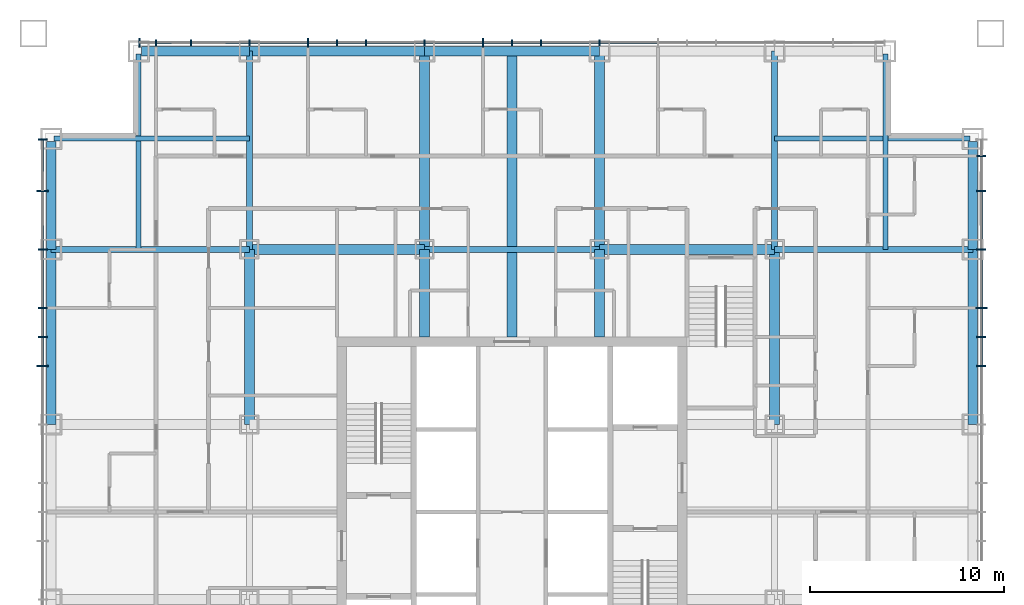
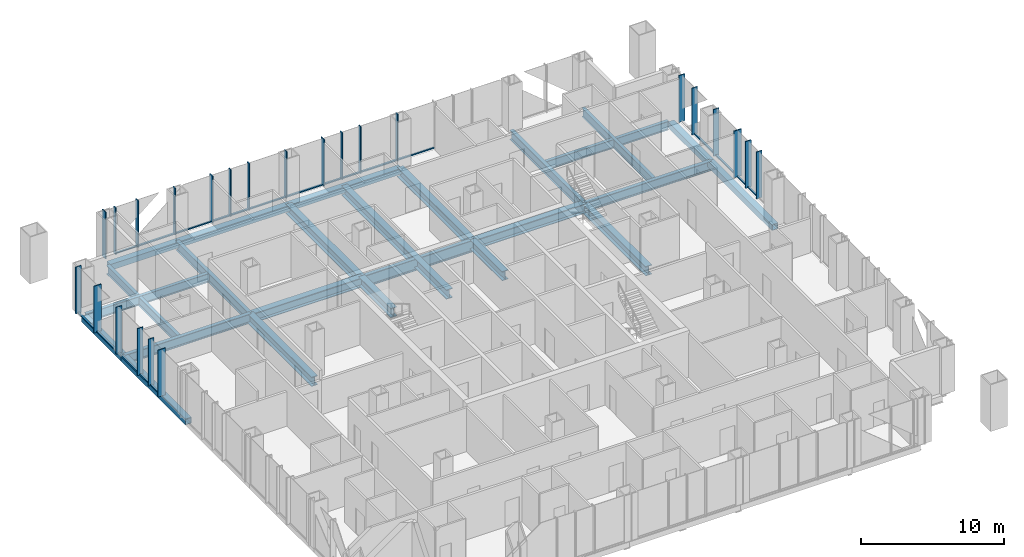
# One storey, part 5 of 13: 44 members, 25 beams, 3 elements without a shape of their own.
"""IFC4 building model written with IfcOpenShell, lengths in metres."""

import ifcopenshell
import ifcopenshell.guid

model = None  # the IFC model being written
_history = None  # IfcOwnerHistory: only IFC2X3 demands one
_inside = {}  # id of a spatial element -> (the spatial element, [elements in it])
_under = {}  # id of a project, library or spatial element -> (it, [spatial elements below it])
_declared = {}  # id of a project -> (the project, [libraries it declares])
_typed = {}  # id of a type object -> (the type object, [elements of that type])
_made_of = {}  # id of a material, layer set ... -> (it, [elements and type objects made of it])


def new_model(schema):
    """Start an empty IFC model of exactly this schema.

    Asked for "IFC4X3", IfcOpenShell would pick the latest addendum, in which some entities
    have other attributes; the version numbers below select the first issue.
    IFC2X3 requires an IfcOwnerHistory on every rooted entity: one is made here for all.
    """
    global model, _history
    if schema == "IFC4X3":
        model = ifcopenshell.file(schema_version=(4, 3, 0, 0))
    else:
        model = ifcopenshell.file(schema=schema)
    _inside.clear()
    _under.clear()
    _declared.clear()
    _typed.clear()
    _made_of.clear()
    _history = None
    if model.schema == "IFC2X3":
        org = make("IfcOrganization", Name="unknown")
        user = make(
            "IfcPersonAndOrganization",
            ThePerson=make("IfcPerson", FamilyName="unknown"),
            TheOrganization=org,
        )
        app = make(
            "IfcApplication",
            ApplicationDeveloper=org,
            Version="unknown",
            ApplicationFullName="unknown",
            ApplicationIdentifier="unknown",
        )
        _history = make(
            "IfcOwnerHistory",
            OwningUser=user,
            OwningApplication=app,
            ChangeAction="ADDED",
            CreationDate=0,
        )
    return model


def make(cls, **values):
    """One entity of the class cls with the attributes given. An attribute that is None is left unset."""
    return model.create_entity(
        cls, **{name: value for name, value in values.items() if value is not None}
    )


def rooted(cls, **values):
    """An entity with a GlobalId (a new one), such as an element, a storey or a relation."""
    return make(cls, GlobalId=ifcopenshell.guid.new(), OwnerHistory=_history, **values)


def si_unit(unit_type, name, prefix=None):
    """IfcSIUnit, for example si_unit("LENGTHUNIT", "METRE", prefix="MILLI")."""
    return make("IfcSIUnit", UnitType=unit_type, Prefix=prefix, Name=name)


def assignment(units):
    """IfcUnitAssignment: the units of a project."""
    return None if units is None else make("IfcUnitAssignment", Units=units)


def point(xyz):
    """IfcCartesianPoint."""
    return None if xyz is None else make("IfcCartesianPoint", Coordinates=xyz)


def direction(xyz):
    """IfcDirection."""
    return None if xyz is None else make("IfcDirection", DirectionRatios=xyz)


def frame(location, z_axis=None, x_axis=None):
    """IfcAxis2Placement3D, a coordinate frame: its origin and axes. An axis left out is left unset."""
    return make(
        "IfcAxis2Placement3D",
        Location=point(location),
        Axis=direction(z_axis),
        RefDirection=direction(x_axis),
    )


def frame_2d(location, x_axis=None):
    """IfcAxis2Placement2D, a coordinate frame in the plane: its origin and x axis."""
    return make(
        "IfcAxis2Placement2D", Location=point(location), RefDirection=direction(x_axis)
    )


def origin():
    """The frame at (0, 0, 0) with its axes left unset."""
    return frame((0.0, 0.0, 0.0))


def origin_2d():
    """The frame at (0, 0) in the plane with its x axis left unset."""
    return frame_2d((0.0, 0.0))


def place(relative_to, where):
    """IfcLocalPlacement: puts the frame where relative to a parent placement (None: the world)."""
    return make(
        "IfcLocalPlacement", PlacementRelTo=relative_to, RelativePlacement=where
    )


def context(
    kind, dimensions, precision=None, world=None, true_north=None, identifier=None
):
    """IfcGeometricRepresentationContext, for example the 3D "Model" context."""
    return make(
        "IfcGeometricRepresentationContext",
        ContextIdentifier=identifier,
        ContextType=kind,
        CoordinateSpaceDimension=dimensions,
        Precision=precision,
        WorldCoordinateSystem=world,
        TrueNorth=true_north,
    )


def subcontext(parent, identifier, kind, view, scale=None):
    """IfcGeometricRepresentationSubContext, for example "Body" below "Model"."""
    return make(
        "IfcGeometricRepresentationSubContext",
        ContextIdentifier=identifier,
        ContextType=kind,
        ParentContext=parent,
        TargetScale=scale,
        TargetView=view,
    )


def project(units=None, contexts=None):
    """IfcProject with its units and contexts."""
    return rooted(
        "IfcProject",
        Name="project",
        RepresentationContexts=contexts,
        UnitsInContext=assignment(units),
    )


def spatial(cls, under=None, at=None, **own):
    """A site, building, storey or space (cls), placed at a placement, below another one or the project."""
    s = rooted(cls, ObjectPlacement=at, **own)
    if under is not None:
        _under.setdefault(under.id(), (under, []))[1].append(s)
    return s


def profile(cls, at=None, kind="AREA", **sizes):
    """A parametric profile (cls). Its sizes go by their IFC names, for example OverallWidth=200.0."""
    return make(cls, ProfileType=kind, Position=at, **sizes)


def rectangle(**sizes):
    """IfcRectangleProfileDef."""
    return profile("IfcRectangleProfileDef", **sizes)


def hollow_rectangle(**sizes):
    """IfcRectangleHollowProfileDef."""
    return profile("IfcRectangleHollowProfileDef", **sizes)


def i_section(**sizes):
    """IfcIShapeProfileDef."""
    return profile("IfcIShapeProfileDef", **sizes)


def extrude(swept, where, along, depth):
    """IfcExtrudedAreaSolid: the profile swept, set in the frame where, extruded along a direction by depth."""
    return make(
        "IfcExtrudedAreaSolid",
        SweptArea=swept,
        Position=where,
        ExtrudedDirection=direction(along),
        Depth=depth,
    )


def shape(context_of_items, identifier, shape_type, items):
    """IfcShapeRepresentation: the items that make up one representation, for example the "Body"."""
    return make(
        "IfcShapeRepresentation",
        ContextOfItems=context_of_items,
        RepresentationIdentifier=identifier,
        RepresentationType=shape_type,
        Items=items,
    )


def material(Name=None, Category=None):
    """IfcMaterial."""
    return make("IfcMaterial", Name=Name, Category=Category)


def layer(
    of_material, thickness, ventilated=None, Name=None, Category=None, Priority=None
):
    """IfcMaterialLayer: one layer of a wall or slab, of a material (None: an air gap)."""
    return make(
        "IfcMaterialLayer",
        Material=of_material,
        LayerThickness=thickness,
        IsVentilated=ventilated,
        Name=Name,
        Category=Category,
        Priority=Priority,
    )


def layer_set(layers, Name=None):
    """IfcMaterialLayerSet."""
    return make("IfcMaterialLayerSet", MaterialLayers=layers, LayerSetName=Name)


def material_profile(
    of_material, cross_section, Name=None, Category=None, Priority=None
):
    """IfcMaterialProfile: a cross section and its material."""
    return make(
        "IfcMaterialProfile",
        Name=Name,
        Material=of_material,
        Profile=cross_section,
        Priority=Priority,
        Category=Category,
    )


def profile_set(profiles, Name=None, composite=None):
    """IfcMaterialProfileSet."""
    return make(
        "IfcMaterialProfileSet",
        Name=Name,
        MaterialProfiles=profiles,
        CompositeProfile=composite,
    )


def made_of(thing, what):
    """Note that an element or type object is made of a material, layer set ...; save() writes the relation."""
    if what is not None:
        _made_of.setdefault(what.id(), (what, []))[1].append(thing)
    return thing


def type_object(cls, material=None, **own):
    """A type object (cls), such as IfcWallType, which elements share."""
    return made_of(rooted(cls, **own), material)


def element(
    cls,
    number,
    at=None,
    inside=None,
    cuts=None,
    type_object=None,
    material=None,
    context=None,
    identifier="Body",
    shape_type=None,
    held_by="IfcProductDefinitionShape",
    body=None,
    shapes=None,
    **own,
):
    """One element of the class cls, such as IfcWall. Its Tag is "e" and its number.

    at: its placement. inside: the storey or other place that contains it. cuts: it is an
    opening in that element (IfcRelVoidsElement). A single representation is given by context,
    identifier, shape_type and body (its items); several are given by shapes. held_by: the class
    of the entity that holds the representations. save() writes the other relations.
    """
    e = rooted(cls, Tag="e%d" % number, ObjectPlacement=at, **own)
    if body is not None:
        shapes = [shape(context, identifier, shape_type, body)]
    if shapes is not None:
        e.Representation = make(held_by, Representations=shapes)
    if inside is not None:
        _inside.setdefault(inside.id(), (inside, []))[1].append(e)
    if cuts is not None:
        rooted(
            "IfcRelVoidsElement", RelatingBuildingElement=cuts, RelatedOpeningElement=e
        )
    if type_object is not None:
        _typed.setdefault(type_object.id(), (type_object, []))[1].append(e)
    return made_of(e, material)


def aggregate(whole, parts):
    """IfcRelAggregates: a whole, such as a stair, and the parts it consists of."""
    return rooted("IfcRelAggregates", RelatingObject=whole, RelatedObjects=parts)


def save(model, path):
    """Write the relations noted so far, then the file.

    IfcRelAggregates (storeys below a building ...), IfcRelContainedInSpatialStructure (elements
    in a storey), IfcRelDefinesByType, IfcRelAssociatesMaterial and IfcRelDeclares: one each for
    every whole, place, type object, material and project.
    """
    for whole, parts in _under.values():
        aggregate(whole, parts)
    for where, things in _inside.values():
        rooted(
            "IfcRelContainedInSpatialStructure",
            RelatedElements=things,
            RelatingStructure=where,
        )
    for kind, things in _typed.values():
        rooted("IfcRelDefinesByType", RelatedObjects=things, RelatingType=kind)
    for what, things in _made_of.values():
        rooted("IfcRelAssociatesMaterial", RelatedObjects=things, RelatingMaterial=what)
    for by, libraries in _declared.values():
        rooted("IfcRelDeclares", RelatingContext=by, RelatedDefinitions=libraries)
    model.write(path)


model = new_model("IFC4")

# Units and contexts
model_context = context("Model", 3, precision=1e-05, world=origin(), true_north=direction((0.0, 1.0)))
body_context = subcontext(model_context, "Body", "Model", "MODEL_VIEW")
ifc_project = project(units=[si_unit("LENGTHUNIT", "METRE"), si_unit("AREAUNIT", "SQUARE_METRE"), si_unit("VOLUMEUNIT", "CUBIC_METRE"), si_unit("PLANEANGLEUNIT", "RADIAN"), si_unit("MASSUNIT", "GRAM", prefix="KILO")], contexts=[model_context])

# Site, building, storey
site_placement = place(None, origin())
site = spatial("IfcSite", under=ifc_project, at=site_placement, CompositionType="ELEMENT")
building_placement = place(site_placement, origin())
building = spatial("IfcBuilding", under=site, at=building_placement, Name="Malebo Sky Hospital", CompositionType="ELEMENT")
storey_placement = place(building_placement, frame((0.0, 0.0, 104.0)))
storey = spatial("IfcBuildingStorey", under=building, at=storey_placement, Name="L24", CompositionType="ELEMENT", Elevation=104.0)

# Curtain wall, members
ifc_material_1 = material(Name="Anodised aluminium, natural silver", Category="aluminium")
ifc_layer_1 = layer(ifc_material_1, 0.25)
ifc_layer_set_1 = layer_set([ifc_layer_1], Name="WARD CURTAIN WALL NORTH AND SOUTH")
curtain_wall_type_1 = type_object("IfcCurtainWallType", Name="WARD CURTAIN WALL NORTH AND SOUTH", PredefinedType="NOTDEFINED", material=ifc_layer_set_1)
curtain_wall_1_placement = place(storey_placement, origin())
curtain_wall_1 = element("IfcCurtainWall", 1, at=curtain_wall_1_placement, inside=storey, type_object=curtain_wall_type_1, Name="NS curtain wall N", PredefinedType="NOTDEFINED")
ifc_material_profile_1 = material_profile(ifc_material_1, rectangle(XDim=0.14990234375, YDim=0.10009765625, at=origin_2d()), Name="ALUMINIUM TRANSOM 150x100")
ifc_profile_set_1 = profile_set([ifc_material_profile_1], Name="Anodised aluminium, natural silver")
member_type_1 = type_object("IfcMemberType", Name="ALUMINIUM TRANSOM 150x100", PredefinedType="USERDEFINED", material=ifc_profile_set_1)
member_1_placement = place(storey_placement, frame((41.737548828125, 86.135009765625, 0.050048828125), z_axis=(1.0, 0.0, 0.0), x_axis=(0.0, 1.0, 0.0)))
member_1 = element("IfcMember", 2, at=member_1_placement, type_object=member_type_1, Name="Transom 2", ObjectType="TRANSOM", PredefinedType="USERDEFINED", context=body_context, shape_type="SweptSolid", body=[
    extrude(rectangle(XDim=0.14990234375, YDim=0.10009765625, at=origin_2d()), origin(), (0.0, 0.0, 1.0), 1.724853515625),
])
member_2_placement = place(storey_placement, frame((43.53759765625, 86.135009765625, 0.050048828125), z_axis=(1.0, 0.0, 0.0), x_axis=(0.0, 1.0, 0.0)))
member_2 = element("IfcMember", 3, at=member_2_placement, type_object=member_type_1, Name="Transom 3", ObjectType="TRANSOM", PredefinedType="USERDEFINED", context=body_context, shape_type="SweptSolid", body=[
    extrude(rectangle(XDim=0.14990234375, YDim=0.10009765625, at=origin_2d()), origin(), (0.0, 0.0, 1.0), 2.9248046875),
])
member_3_placement = place(storey_placement, frame((46.53759765625, 86.135009765625, 0.050048828125), z_axis=(1.0, 0.0, 0.0), x_axis=(0.0, 1.0, 0.0)))
member_3 = element("IfcMember", 4, at=member_3_placement, type_object=member_type_1, Name="Transom 4", ObjectType="TRANSOM", PredefinedType="USERDEFINED", context=body_context, shape_type="SweptSolid", body=[
    extrude(rectangle(XDim=0.14990234375, YDim=0.10009765625, at=origin_2d()), origin(), (0.0, 0.0, 1.0), 2.9248046875),
])
member_4_placement = place(storey_placement, frame((49.53759765625, 86.135009765625, 0.050048828125), z_axis=(1.0, 0.0, 0.0), x_axis=(0.0, 1.0, 0.0)))
member_4 = element("IfcMember", 5, at=member_4_placement, type_object=member_type_1, Name="Transom 5", ObjectType="TRANSOM", PredefinedType="USERDEFINED", context=body_context, shape_type="SweptSolid", body=[
    extrude(rectangle(XDim=0.14990234375, YDim=0.10009765625, at=origin_2d()), origin(), (0.0, 0.0, 1.0), 1.4248046875),
])
member_5_placement = place(storey_placement, frame((51.03759765625, 86.135009765625, 0.050048828125), z_axis=(1.0, 0.0, 0.0), x_axis=(0.0, 1.0, 0.0)))
member_5 = element("IfcMember", 6, at=member_5_placement, type_object=member_type_1, Name="Transom 6", ObjectType="TRANSOM", PredefinedType="USERDEFINED", context=body_context, shape_type="SweptSolid", body=[
    extrude(rectangle(XDim=0.14990234375, YDim=0.10009765625, at=origin_2d()), origin(), (0.0, 0.0, 1.0), 1.4248046875),
])
member_6_placement = place(storey_placement, frame((52.53759765625, 86.135009765625, 0.050048828125), z_axis=(1.0, 0.0, 0.0), x_axis=(0.0, 1.0, 0.0)))
member_6 = element("IfcMember", 7, at=member_6_placement, type_object=member_type_1, Name="Transom 7", ObjectType="TRANSOM", PredefinedType="USERDEFINED", context=body_context, shape_type="SweptSolid", body=[
    extrude(rectangle(XDim=0.14990234375, YDim=0.10009765625, at=origin_2d()), origin(), (0.0, 0.0, 1.0), 2.9248046875),
])
member_7_placement = place(storey_placement, frame((55.53759765625, 86.135009765625, 0.050048828125), z_axis=(1.0, 0.0, 0.0), x_axis=(0.0, 1.0, 0.0)))
member_7 = element("IfcMember", 8, at=member_7_placement, type_object=member_type_1, Name="Transom 8", ObjectType="TRANSOM", PredefinedType="USERDEFINED", context=body_context, shape_type="SweptSolid", body=[
    extrude(rectangle(XDim=0.14990234375, YDim=0.10009765625, at=origin_2d()), origin(), (0.0, 0.0, 1.0), 2.9248046875),
])
member_8_placement = place(storey_placement, frame((58.53759765625, 86.135009765625, 0.050048828125), z_axis=(1.0, 0.0, 0.0), x_axis=(0.0, 1.0, 0.0)))
member_8 = element("IfcMember", 9, at=member_8_placement, type_object=member_type_1, Name="Transom 9", ObjectType="TRANSOM", PredefinedType="USERDEFINED", context=body_context, shape_type="SweptSolid", body=[
    extrude(rectangle(XDim=0.14990234375, YDim=0.10009765625, at=origin_2d()), origin(), (0.0, 0.0, 1.0), 1.4248046875),
])
member_9_placement = place(storey_placement, frame((60.03759765625, 86.135009765625, 0.050048828125), z_axis=(1.0, 0.0, 0.0), x_axis=(0.0, 1.0, 0.0)))
member_9 = element("IfcMember", 10, at=member_9_placement, type_object=member_type_1, Name="Transom 10", ObjectType="TRANSOM", PredefinedType="USERDEFINED", context=body_context, shape_type="SweptSolid", body=[
    extrude(rectangle(XDim=0.14990234375, YDim=0.10009765625, at=origin_2d()), origin(), (0.0, 0.0, 1.0), 1.4248046875),
])
member_10_placement = place(storey_placement, frame((61.53759765625, 86.135009765625, 0.050048828125), z_axis=(1.0, 0.0, 0.0), x_axis=(0.0, 1.0, 0.0)))
member_10 = element("IfcMember", 11, at=member_10_placement, type_object=member_type_1, Name="Transom 11", ObjectType="TRANSOM", PredefinedType="USERDEFINED", context=body_context, shape_type="SweptSolid", body=[
    extrude(rectangle(XDim=0.14990234375, YDim=0.10009765625, at=origin_2d()), origin(), (0.0, 0.0, 1.0), 2.9248046875),
])
member_11_placement = place(storey_placement, frame((64.53759765625, 86.135009765625, 0.050048828125), z_axis=(1.0, 0.0, 0.0), x_axis=(0.0, 1.0, 0.0)))
member_11 = element("IfcMember", 12, at=member_11_placement, type_object=member_type_1, Name="Transom 12", ObjectType="TRANSOM", PredefinedType="USERDEFINED", context=body_context, shape_type="SweptSolid", body=[
    extrude(rectangle(XDim=0.14990234375, YDim=0.10009765625, at=origin_2d()), origin(), (0.0, 0.0, 1.0), 2.9248046875),
])

ifc_layer_2 = layer(ifc_material_1, 0.25)
ifc_layer_set_2 = layer_set([ifc_layer_2], Name="WARD CURTAIN WALL EAST AND WEST")
curtain_wall_type_2 = type_object("IfcCurtainWallType", Name="WARD CURTAIN WALL EAST AND WEST", PredefinedType="NOTDEFINED", material=ifc_layer_set_2)
curtain_wall_2_placement = place(storey_placement, origin())
curtain_wall_2 = element("IfcCurtainWall", 13, at=curtain_wall_2_placement, inside=storey, type_object=curtain_wall_type_2, Name="EW curtain wall W", PredefinedType="NOTDEFINED")
member_12_placement = place(storey_placement, frame((35.864990234375, 69.53759765625, 0.050048828125), z_axis=(0.0, 1.0, 0.0), x_axis=(-1.0, 0.0, 0.0)))
member_12 = element("IfcMember", 14, at=member_12_placement, type_object=member_type_1, Name="Transom 13", ObjectType="TRANSOM", PredefinedType="USERDEFINED", context=body_context, shape_type="SweptSolid", body=[
    extrude(rectangle(XDim=0.14990234375, YDim=0.10009765625, at=origin_2d()), origin(), (0.0, 0.0, 1.0), 1.4248046875),
])
member_13_placement = place(storey_placement, frame((35.864990234375, 71.03759765625, 0.050048828125), z_axis=(0.0, 1.0, 0.0), x_axis=(-1.0, 0.0, 0.0)))
member_13 = element("IfcMember", 15, at=member_13_placement, type_object=member_type_1, Name="Transom 14", ObjectType="TRANSOM", PredefinedType="USERDEFINED", context=body_context, shape_type="SweptSolid", body=[
    extrude(rectangle(XDim=0.14990234375, YDim=0.10009765625, at=origin_2d()), origin(), (0.0, 0.0, 1.0), 1.4248046875),
])
member_14_placement = place(storey_placement, frame((35.864990234375, 72.53759765625, 0.050048828125), z_axis=(0.0, 1.0, 0.0), x_axis=(-1.0, 0.0, 0.0)))
member_14 = element("IfcMember", 16, at=member_14_placement, type_object=member_type_1, Name="Transom 15", ObjectType="TRANSOM", PredefinedType="USERDEFINED", context=body_context, shape_type="SweptSolid", body=[
    extrude(rectangle(XDim=0.14990234375, YDim=0.10009765625, at=origin_2d()), origin(), (0.0, 0.0, 1.0), 2.9248046875),
])
member_15_placement = place(storey_placement, frame((35.864990234375, 75.53759765625, 0.050048828125), z_axis=(0.0, 1.0, 0.0), x_axis=(-1.0, 0.0, 0.0)))
member_15 = element("IfcMember", 17, at=member_15_placement, type_object=member_type_1, Name="Transom 16", ObjectType="TRANSOM", PredefinedType="USERDEFINED", context=body_context, shape_type="SweptSolid", body=[
    extrude(rectangle(XDim=0.14990234375, YDim=0.10009765625, at=origin_2d()), origin(), (0.0, 0.0, 1.0), 2.9248046875),
])
member_16_placement = place(storey_placement, frame((35.864990234375, 78.53759765625, 0.050048828125), z_axis=(0.0, 1.0, 0.0), x_axis=(-1.0, 0.0, 0.0)))
member_16 = element("IfcMember", 18, at=member_16_placement, type_object=member_type_1, Name="Transom 17", ObjectType="TRANSOM", PredefinedType="USERDEFINED", context=body_context, shape_type="SweptSolid", body=[
    extrude(rectangle(XDim=0.14990234375, YDim=0.10009765625, at=origin_2d()), origin(), (0.0, 0.0, 1.0), 2.58740234375),
])

curtain_wall_3_placement = place(storey_placement, origin())
curtain_wall_3 = element("IfcCurtainWall", 19, at=curtain_wall_3_placement, inside=storey, type_object=curtain_wall_type_2, Name="EW curtain wall E", PredefinedType="NOTDEFINED")
member_17_placement = place(storey_placement, frame((84.135009765625, 78.46240234375, 0.050048828125), z_axis=(0.0, -1.0, 0.0), x_axis=(1.0, 0.0, 0.0)))
member_17 = element("IfcMember", 20, at=member_17_placement, type_object=member_type_1, Name="Transom 3", ObjectType="TRANSOM", PredefinedType="USERDEFINED", context=body_context, shape_type="SweptSolid", body=[
    extrude(rectangle(XDim=0.14990234375, YDim=0.10009765625, at=origin_2d()), origin(), (0.0, 0.0, 1.0), 2.9248046875),
])
member_18_placement = place(storey_placement, frame((84.135009765625, 75.46240234375, 0.050048828125), z_axis=(0.0, -1.0, 0.0), x_axis=(1.0, 0.0, 0.0)))
member_18 = element("IfcMember", 21, at=member_18_placement, type_object=member_type_1, Name="Transom 4", ObjectType="TRANSOM", PredefinedType="USERDEFINED", context=body_context, shape_type="SweptSolid", body=[
    extrude(rectangle(XDim=0.14990234375, YDim=0.10009765625, at=origin_2d()), origin(), (0.0, 0.0, 1.0), 2.9248046875),
])
member_19_placement = place(storey_placement, frame((84.135009765625, 72.46240234375, 0.050048828125), z_axis=(0.0, -1.0, 0.0), x_axis=(1.0, 0.0, 0.0)))
member_19 = element("IfcMember", 22, at=member_19_placement, type_object=member_type_1, Name="Transom 5", ObjectType="TRANSOM", PredefinedType="USERDEFINED", context=body_context, shape_type="SweptSolid", body=[
    extrude(rectangle(XDim=0.14990234375, YDim=0.10009765625, at=origin_2d()), origin(), (0.0, 0.0, 1.0), 1.4248046875),
])
member_20_placement = place(storey_placement, frame((84.135009765625, 70.96240234375, 0.050048828125), z_axis=(0.0, -1.0, 0.0), x_axis=(1.0, 0.0, 0.0)))
member_20 = element("IfcMember", 23, at=member_20_placement, type_object=member_type_1, Name="Transom 6", ObjectType="TRANSOM", PredefinedType="USERDEFINED", context=body_context, shape_type="SweptSolid", body=[
    extrude(rectangle(XDim=0.14990234375, YDim=0.10009765625, at=origin_2d()), origin(), (0.0, 0.0, 1.0), 1.4248046875),
])

# Member
ifc_material_profile_2 = material_profile(ifc_material_1, rectangle(XDim=0.074951171875, YDim=0.300048828125, at=origin_2d()), Name="CW1 ALUMINIUM FIN MULLION 75x300")
ifc_profile_set_2 = profile_set([ifc_material_profile_2], Name="Anodised aluminium, natural silver")
member_type_2 = type_object("IfcMemberType", Name="CW1 ALUMINIUM FIN MULLION 75x300", PredefinedType="MULLION", material=ifc_profile_set_2)
member_21_placement = place(storey_placement, frame((41.699951171875, 86.135009765625, 0.0), z_axis=(0.0, 0.0, 1.0), x_axis=(1.0, 0.0, 0.0)))
member_21 = element("IfcMember", 24, at=member_21_placement, type_object=member_type_2, Name="Fin mullion 2", PredefinedType="MULLION", context=body_context, shape_type="SweptSolid", body=[
    extrude(rectangle(XDim=0.074951171875, YDim=0.300048828125, at=origin_2d()), origin(), (0.0, 0.0, 1.0), 4.0),
])

member_22_placement = place(storey_placement, frame((43.5, 86.135009765625, 0.0), z_axis=(0.0, 0.0, 1.0), x_axis=(1.0, 0.0, 0.0)))
member_22 = element("IfcMember", 25, at=member_22_placement, type_object=member_type_2, Name="Fin mullion 3", PredefinedType="MULLION", context=body_context, shape_type="SweptSolid", body=[
    extrude(rectangle(XDim=0.074951171875, YDim=0.300048828125, at=origin_2d()), origin(), (0.0, 0.0, 1.0), 4.0),
])

member_23_placement = place(storey_placement, frame((46.5, 86.135009765625, 0.0), z_axis=(0.0, 0.0, 1.0), x_axis=(1.0, 0.0, 0.0)))
member_23 = element("IfcMember", 26, at=member_23_placement, type_object=member_type_2, Name="Fin mullion 4", PredefinedType="MULLION", context=body_context, shape_type="SweptSolid", body=[
    extrude(rectangle(XDim=0.074951171875, YDim=0.300048828125, at=origin_2d()), origin(), (0.0, 0.0, 1.0), 4.0),
])

member_24_placement = place(storey_placement, frame((51.0, 86.135009765625, 0.0), z_axis=(0.0, 0.0, 1.0), x_axis=(1.0, 0.0, 0.0)))
member_24 = element("IfcMember", 27, at=member_24_placement, type_object=member_type_2, Name="Fin mullion 6", PredefinedType="MULLION", context=body_context, shape_type="SweptSolid", body=[
    extrude(rectangle(XDim=0.074951171875, YDim=0.300048828125, at=origin_2d()), origin(), (0.0, 0.0, 1.0), 4.0),
])

member_25_placement = place(storey_placement, frame((52.5, 86.135009765625, 0.0), z_axis=(0.0, 0.0, 1.0), x_axis=(1.0, 0.0, 0.0)))
member_25 = element("IfcMember", 28, at=member_25_placement, type_object=member_type_2, Name="Fin mullion 7", PredefinedType="MULLION", context=body_context, shape_type="SweptSolid", body=[
    extrude(rectangle(XDim=0.074951171875, YDim=0.300048828125, at=origin_2d()), origin(), (0.0, 0.0, 1.0), 4.0),
])

member_26_placement = place(storey_placement, frame((55.5, 86.135009765625, 0.0), z_axis=(0.0, 0.0, 1.0), x_axis=(1.0, 0.0, 0.0)))
member_26 = element("IfcMember", 29, at=member_26_placement, type_object=member_type_2, Name="Fin mullion 8", PredefinedType="MULLION", context=body_context, shape_type="SweptSolid", body=[
    extrude(rectangle(XDim=0.074951171875, YDim=0.300048828125, at=origin_2d()), origin(), (0.0, 0.0, 1.0), 4.0),
])

member_27_placement = place(storey_placement, frame((60.0, 86.135009765625, 0.0), z_axis=(0.0, 0.0, 1.0), x_axis=(1.0, 0.0, 0.0)))
member_27 = element("IfcMember", 30, at=member_27_placement, type_object=member_type_2, Name="Fin mullion 10", PredefinedType="MULLION", context=body_context, shape_type="SweptSolid", body=[
    extrude(rectangle(XDim=0.074951171875, YDim=0.300048828125, at=origin_2d()), origin(), (0.0, 0.0, 1.0), 4.0),
])

member_28_placement = place(storey_placement, frame((61.5, 86.135009765625, 0.0), z_axis=(0.0, 0.0, 1.0), x_axis=(1.0, 0.0, 0.0)))
member_28 = element("IfcMember", 31, at=member_28_placement, type_object=member_type_2, Name="Fin mullion 11", PredefinedType="MULLION", context=body_context, shape_type="SweptSolid", body=[
    extrude(rectangle(XDim=0.074951171875, YDim=0.300048828125, at=origin_2d()), origin(), (0.0, 0.0, 1.0), 4.0),
])

member_29_placement = place(storey_placement, frame((64.5, 86.135009765625, 0.0), z_axis=(0.0, 0.0, 1.0), x_axis=(1.0, 0.0, 0.0)))
member_29 = element("IfcMember", 32, at=member_29_placement, type_object=member_type_2, Name="Fin mullion 12", PredefinedType="MULLION", context=body_context, shape_type="SweptSolid", body=[
    extrude(rectangle(XDim=0.074951171875, YDim=0.300048828125, at=origin_2d()), origin(), (0.0, 0.0, 1.0), 4.0),
])

ifc_material_profile_3 = material_profile(ifc_material_1, rectangle(XDim=0.074951171875, YDim=0.449951171875, at=origin_2d()), Name="CW1 ALUMINIUM FIN MULLION 75x450")
ifc_profile_set_3 = profile_set([ifc_material_profile_3], Name="Anodised aluminium, natural silver")
member_type_3 = type_object("IfcMemberType", Name="CW1 ALUMINIUM FIN MULLION 75x450", PredefinedType="MULLION", material=ifc_profile_set_3)
member_30_placement = place(storey_placement, frame((40.83740234375, 86.135009765625, 0.0), z_axis=(0.0, 0.0, 1.0), x_axis=(1.0, 0.0, 0.0)))
member_30 = element("IfcMember", 33, at=member_30_placement, type_object=member_type_3, Name="Fin mullion 1", PredefinedType="MULLION", context=body_context, shape_type="SweptSolid", body=[
    extrude(rectangle(XDim=0.074951171875, YDim=0.449951171875, at=origin_2d()), origin(), (0.0, 0.0, 1.0), 4.0),
])

member_31_placement = place(storey_placement, frame((49.5, 86.135009765625, 0.0), z_axis=(0.0, 0.0, 1.0), x_axis=(1.0, 0.0, 0.0)))
member_31 = element("IfcMember", 34, at=member_31_placement, type_object=member_type_3, Name="Fin mullion 5", PredefinedType="MULLION", context=body_context, shape_type="SweptSolid", body=[
    extrude(rectangle(XDim=0.074951171875, YDim=0.449951171875, at=origin_2d()), origin(), (0.0, 0.0, 1.0), 4.0),
])

member_32_placement = place(storey_placement, frame((58.5, 86.135009765625, 0.0), z_axis=(0.0, 0.0, 1.0), x_axis=(1.0, 0.0, 0.0)))
member_32 = element("IfcMember", 35, at=member_32_placement, type_object=member_type_3, Name="Fin mullion 9", PredefinedType="MULLION", context=body_context, shape_type="SweptSolid", body=[
    extrude(rectangle(XDim=0.074951171875, YDim=0.449951171875, at=origin_2d()), origin(), (0.0, 0.0, 1.0), 4.0),
])

aggregate(curtain_wall_1, [member_30, member_21, member_22, member_23, member_31, member_24, member_25, member_26, member_32, member_27, member_28, member_29, member_1, member_2, member_3, member_4, member_5, member_6, member_7, member_8, member_9, member_10, member_11])

ifc_material_profile_4 = material_profile(ifc_material_1, rectangle(XDim=0.074951171875, YDim=0.449951171875, at=origin_2d()), Name="CW2 ALUMINIUM FIN MULLION 75x450")
ifc_profile_set_4 = profile_set([ifc_material_profile_4], Name="Anodised aluminium, natural silver")
member_type_4 = type_object("IfcMemberType", Name="CW2 ALUMINIUM FIN MULLION 75x450", PredefinedType="MULLION", material=ifc_profile_set_4)
member_33_placement = place(storey_placement, frame((35.864990234375, 71.0, 0.0), z_axis=(0.0, 0.0, 1.0), x_axis=(0.0, 1.0, 0.0)))
member_33 = element("IfcMember", 36, at=member_33_placement, type_object=member_type_4, Name="Fin mullion 14", PredefinedType="MULLION", context=body_context, shape_type="SweptSolid", body=[
    extrude(rectangle(XDim=0.074951171875, YDim=0.449951171875, at=origin_2d()), origin(), (0.0, 0.0, 1.0), 4.0),
])

member_34_placement = place(storey_placement, frame((35.864990234375, 72.5, 0.0), z_axis=(0.0, 0.0, 1.0), x_axis=(0.0, 1.0, 0.0)))
member_34 = element("IfcMember", 37, at=member_34_placement, type_object=member_type_4, Name="Fin mullion 15", PredefinedType="MULLION", context=body_context, shape_type="SweptSolid", body=[
    extrude(rectangle(XDim=0.074951171875, YDim=0.449951171875, at=origin_2d()), origin(), (0.0, 0.0, 1.0), 4.0),
])

member_35_placement = place(storey_placement, frame((35.864990234375, 75.5, 0.0), z_axis=(0.0, 0.0, 1.0), x_axis=(0.0, 1.0, 0.0)))
member_35 = element("IfcMember", 38, at=member_35_placement, type_object=member_type_4, Name="Fin mullion 16", PredefinedType="MULLION", context=body_context, shape_type="SweptSolid", body=[
    extrude(rectangle(XDim=0.074951171875, YDim=0.449951171875, at=origin_2d()), origin(), (0.0, 0.0, 1.0), 4.0),
])

member_36_placement = place(storey_placement, frame((35.864990234375, 81.16259765625, 0.0), z_axis=(0.0, 0.0, 1.0), x_axis=(0.0, 1.0, 0.0)))
member_36 = element("IfcMember", 39, at=member_36_placement, type_object=member_type_4, Name="Fin mullion 18", PredefinedType="MULLION", context=body_context, shape_type="SweptSolid", body=[
    extrude(rectangle(XDim=0.074951171875, YDim=0.449951171875, at=origin_2d()), origin(), (0.0, 0.0, 1.0), 4.0),
])

member_37_placement = place(storey_placement, frame((84.135009765625, 80.300048828125, 0.0), z_axis=(0.0, 0.0, 1.0), x_axis=(0.0, -1.0, 0.0)))
member_37 = element("IfcMember", 40, at=member_37_placement, type_object=member_type_4, Name="Fin mullion 2", PredefinedType="MULLION", context=body_context, shape_type="SweptSolid", body=[
    extrude(rectangle(XDim=0.074951171875, YDim=0.449951171875, at=origin_2d()), origin(), (0.0, 0.0, 1.0), 4.0),
])

member_38_placement = place(storey_placement, frame((84.135009765625, 78.5, 0.0), z_axis=(0.0, 0.0, 1.0), x_axis=(0.0, -1.0, 0.0)))
member_38 = element("IfcMember", 41, at=member_38_placement, type_object=member_type_4, Name="Fin mullion 3", PredefinedType="MULLION", context=body_context, shape_type="SweptSolid", body=[
    extrude(rectangle(XDim=0.074951171875, YDim=0.449951171875, at=origin_2d()), origin(), (0.0, 0.0, 1.0), 4.0),
])

member_39_placement = place(storey_placement, frame((84.135009765625, 75.5, 0.0), z_axis=(0.0, 0.0, 1.0), x_axis=(0.0, -1.0, 0.0)))
member_39 = element("IfcMember", 42, at=member_39_placement, type_object=member_type_4, Name="Fin mullion 4", PredefinedType="MULLION", context=body_context, shape_type="SweptSolid", body=[
    extrude(rectangle(XDim=0.074951171875, YDim=0.449951171875, at=origin_2d()), origin(), (0.0, 0.0, 1.0), 4.0),
])

member_40_placement = place(storey_placement, frame((84.135009765625, 71.0, 0.0), z_axis=(0.0, 0.0, 1.0), x_axis=(0.0, -1.0, 0.0)))
member_40 = element("IfcMember", 43, at=member_40_placement, type_object=member_type_4, Name="Fin mullion 6", PredefinedType="MULLION", context=body_context, shape_type="SweptSolid", body=[
    extrude(rectangle(XDim=0.074951171875, YDim=0.449951171875, at=origin_2d()), origin(), (0.0, 0.0, 1.0), 4.0),
])

member_41_placement = place(storey_placement, frame((84.135009765625, 69.5, 0.0), z_axis=(0.0, 0.0, 1.0), x_axis=(0.0, -1.0, 0.0)))
member_41 = element("IfcMember", 44, at=member_41_placement, type_object=member_type_4, Name="Fin mullion 7", PredefinedType="MULLION", context=body_context, shape_type="SweptSolid", body=[
    extrude(rectangle(XDim=0.074951171875, YDim=0.449951171875, at=origin_2d()), origin(), (0.0, 0.0, 1.0), 4.0),
])

ifc_material_profile_5 = material_profile(ifc_material_1, rectangle(XDim=0.074951171875, YDim=0.60009765625, at=origin_2d()), Name="CW2 ALUMINIUM FIN MULLION 75x600")
ifc_profile_set_5 = profile_set([ifc_material_profile_5], Name="Anodised aluminium, natural silver")
member_type_5 = type_object("IfcMemberType", Name="CW2 ALUMINIUM FIN MULLION 75x600", PredefinedType="MULLION", material=ifc_profile_set_5)
member_42_placement = place(storey_placement, frame((35.864990234375, 69.5, 0.0), z_axis=(0.0, 0.0, 1.0), x_axis=(0.0, 1.0, 0.0)))
member_42 = element("IfcMember", 45, at=member_42_placement, type_object=member_type_5, Name="Fin mullion 13", PredefinedType="MULLION", context=body_context, shape_type="SweptSolid", body=[
    extrude(rectangle(XDim=0.074951171875, YDim=0.60009765625, at=origin_2d()), origin(), (0.0, 0.0, 1.0), 4.0),
])

member_43_placement = place(storey_placement, frame((35.864990234375, 78.5, 0.0), z_axis=(0.0, 0.0, 1.0), x_axis=(0.0, 1.0, 0.0)))
member_43 = element("IfcMember", 46, at=member_43_placement, type_object=member_type_5, Name="Fin mullion 17", PredefinedType="MULLION", context=body_context, shape_type="SweptSolid", body=[
    extrude(rectangle(XDim=0.074951171875, YDim=0.60009765625, at=origin_2d()), origin(), (0.0, 0.0, 1.0), 4.0),
])

aggregate(curtain_wall_2, [member_42, member_33, member_34, member_35, member_43, member_36, member_12, member_13, member_14, member_15, member_16])

member_44_placement = place(storey_placement, frame((84.135009765625, 72.5, 0.0), z_axis=(0.0, 0.0, 1.0), x_axis=(0.0, -1.0, 0.0)))
member_44 = element("IfcMember", 47, at=member_44_placement, type_object=member_type_5, Name="Fin mullion 5", PredefinedType="MULLION", context=body_context, shape_type="SweptSolid", body=[
    extrude(rectangle(XDim=0.074951171875, YDim=0.60009765625, at=origin_2d()), origin(), (0.0, 0.0, 1.0), 4.0),
])

aggregate(curtain_wall_3, [member_37, member_38, member_39, member_44, member_40, member_41, member_17, member_18, member_19, member_20])

# Beams
ifc_material_2 = material(Name="Steel S460", Category="steel")
ifc_material_profile_6 = material_profile(ifc_material_2, hollow_rectangle(XDim=0.5, YDim=0.5, WallThickness=0.030029296875, at=origin_2d()), Name="BOX 500x500x30")
ifc_profile_set_6 = profile_set([ifc_material_profile_6], Name="Steel S460")
beam_type_1 = type_object("IfcBeamType", Name="EDGE BEAM BOX 500x500x30", PredefinedType="BEAM", material=ifc_profile_set_6)
beam_1_placement = place(storey_placement, frame((36.300048828125, 66.5, -0.5), z_axis=(0.0, 1.0, 0.0), x_axis=(-1.0, 0.0, 0.0)))
element("IfcBeam", 48, at=beam_1_placement, inside=storey, type_object=beam_type_1, Name="Beam 003 L24", PredefinedType="BEAM", context=body_context, shape_type="SweptSolid", body=[
    extrude(hollow_rectangle(XDim=0.5, YDim=0.5, WallThickness=0.030029296875, at=origin_2d()), origin(), (0.0, 0.0, 1.0), 9.0),
])
beam_2_placement = place(storey_placement, frame((36.300048828125, 75.5, -0.5), z_axis=(0.0, 1.0, 0.0), x_axis=(-1.0, 0.0, 0.0)))
element("IfcBeam", 49, at=beam_2_placement, inside=storey, type_object=beam_type_1, Name="Beam 004 L24", PredefinedType="BEAM", context=body_context, shape_type="SweptSolid", body=[
    extrude(hollow_rectangle(XDim=0.5, YDim=0.5, WallThickness=0.030029296875, at=origin_2d()), origin(), (0.0, 0.0, 1.0), 5.550048828125),
])
beam_3_placement = place(storey_placement, frame((83.699951171875, 66.5, -0.5), z_axis=(0.0, 1.0, 0.0), x_axis=(-1.0, 0.0, 0.0)))
element("IfcBeam", 50, at=beam_3_placement, inside=storey, type_object=beam_type_1, Name="Beam 032 L24", PredefinedType="BEAM", context=body_context, shape_type="SweptSolid", body=[
    extrude(hollow_rectangle(XDim=0.5, YDim=0.5, WallThickness=0.030029296875, at=origin_2d()), origin(), (0.0, 0.0, 1.0), 9.0),
])
for number, where, z_axis, x_axis, name in (
    (51, (83.699951171875, 75.5, -0.5), (0.0, 1.0, 0.0), (-1.0, 0.0, 0.0), "Beam 033 L24"),
    (52, (40.949951171875, 85.699951171875, -0.5), (1.0, 0.0, 0.0), (0.0, 1.0, 0.0), "Beam 063 L24"),
):
    element("IfcBeam", number, at=place(storey_placement, frame(where, z_axis=z_axis, x_axis=x_axis)), inside=storey, type_object=beam_type_1, Name=name, PredefinedType="BEAM", context=body_context, shape_type="SweptSolid", body=[
        extrude(hollow_rectangle(XDim=0.5, YDim=0.5, WallThickness=0.030029296875, at=origin_2d()), origin(), (0.0, 0.0, 1.0), 5.550048828125),
    ])
for number, where, z_axis, x_axis, name in (
    (53, (46.5, 85.699951171875, -0.5), (1.0, 0.0, 0.0), (0.0, 1.0, 0.0), "Beam 064 L24"),
    (54, (55.5, 85.699951171875, -0.5), (1.0, 0.0, 0.0), (0.0, 1.0, 0.0), "Beam 065 L24"),
):
    element("IfcBeam", number, at=place(storey_placement, frame(where, z_axis=z_axis, x_axis=x_axis)), inside=storey, type_object=beam_type_1, Name=name, PredefinedType="BEAM", context=body_context, shape_type="SweptSolid", body=[
        extrude(hollow_rectangle(XDim=0.5, YDim=0.5, WallThickness=0.030029296875, at=origin_2d()), origin(), (0.0, 0.0, 1.0), 9.0),
    ])
ifc_material_3 = material(Name="Steel S355", Category="steel")
ifc_material_profile_7 = material_profile(ifc_material_3, i_section(OverallWidth=0.262939453125, OverallDepth=0.7529296875, WebThickness=0.011474609375, FlangeThickness=0.01708984375, FilletRadius=0.01708984375, at=origin_2d()), Name="IPE 750x137")
ifc_profile_set_7 = profile_set([ifc_material_profile_7], Name="Steel S355")
beam_type_2 = type_object("IfcBeamType", Name="FLOOR BEAM IPE 750x137", PredefinedType="BEAM", material=ifc_profile_set_7)
for number, where, z_axis, x_axis, name in (
    (55, (40.800048828125, 75.5, -0.62646484375), (0.0, 1.0, 0.0), (-1.0, 0.0, 0.0), "Beam 006 L24"),
    (56, (79.199951171875, 75.5, -0.62646484375), (0.0, 1.0, 0.0), (-1.0, 0.0, 0.0), "Beam 028 L24"),
    (57, (36.449951171875, 81.199951171875, -0.62646484375), (1.0, 0.0, 0.0), (0.0, 1.0, 0.0), "Beam 061 L24"),
    (58, (73.5, 81.199951171875, -0.62646484375), (1.0, 0.0, 0.0), (0.0, 1.0, 0.0), "Beam 062 L24"),
):
    element("IfcBeam", number, at=place(storey_placement, frame(where, z_axis=z_axis, x_axis=x_axis)), inside=storey, type_object=beam_type_2, Name=name, PredefinedType="BEAM", context=body_context, shape_type="SweptSolid", body=[
        extrude(i_section(OverallWidth=0.262939453125, OverallDepth=0.7529296875, WebThickness=0.011474609375, FlangeThickness=0.01708984375, FilletRadius=0.01708984375, at=origin_2d()), origin(), (0.0, 0.0, 1.0), 10.050048828125),
    ])
ifc_material_profile_8 = material_profile(ifc_material_3, i_section(OverallWidth=0.5, OverallDepth=0.800048828125, WebThickness=0.030029296875, FlangeThickness=0.050048828125, at=origin_2d()), Name="PG 800x500x30x50")
ifc_profile_set_8 = profile_set([ifc_material_profile_8], Name="Steel S355")
beam_type_3 = type_object("IfcBeamType", Name="FLOOR BEAM PG 800x500x30x50", PredefinedType="BEAM", material=ifc_profile_set_8)
beam_4_placement = place(storey_placement, frame((46.5, 66.5, -0.64990234375), z_axis=(0.0, 1.0, 0.0), x_axis=(-1.0, 0.0, 0.0)))
element("IfcBeam", 59, at=beam_4_placement, inside=storey, type_object=beam_type_3, Name="Beam 010 L24", PredefinedType="BEAM", context=body_context, shape_type="SweptSolid", body=[
    extrude(i_section(OverallWidth=0.5, OverallDepth=0.800048828125, WebThickness=0.030029296875, FlangeThickness=0.050048828125, at=origin_2d()), origin(), (0.0, 0.0, 1.0), 9.0),
])
beam_5_placement = place(storey_placement, frame((55.5, 71.0, -0.64990234375), z_axis=(0.0, 1.0, 0.0), x_axis=(-1.0, 0.0, 0.0)))
element("IfcBeam", 60, at=beam_5_placement, inside=storey, type_object=beam_type_3, Name="Beam 014 L24", PredefinedType="BEAM", context=body_context, shape_type="SweptSolid", body=[
    extrude(i_section(OverallWidth=0.5, OverallDepth=0.800048828125, WebThickness=0.030029296875, FlangeThickness=0.050048828125, at=origin_2d()), origin(), (0.0, 0.0, 1.0), 4.5),
])
beam_6_placement = place(storey_placement, frame((55.5, 75.5, -0.64990234375), z_axis=(0.0, 1.0, 0.0), x_axis=(-1.0, 0.0, 0.0)))
element("IfcBeam", 61, at=beam_6_placement, inside=storey, type_object=beam_type_3, Name="Beam 015 L24", PredefinedType="BEAM", context=body_context, shape_type="SweptSolid", body=[
    extrude(i_section(OverallWidth=0.5, OverallDepth=0.800048828125, WebThickness=0.030029296875, FlangeThickness=0.050048828125, at=origin_2d()), origin(), (0.0, 0.0, 1.0), 10.199951171875),
])
beam_7_placement = place(storey_placement, frame((60.0, 71.0, -0.64990234375), z_axis=(0.0, 1.0, 0.0), x_axis=(-1.0, 0.0, 0.0)))
element("IfcBeam", 62, at=beam_7_placement, inside=storey, type_object=beam_type_3, Name="Beam 017 L24", PredefinedType="BEAM", context=body_context, shape_type="SweptSolid", body=[
    extrude(i_section(OverallWidth=0.5, OverallDepth=0.800048828125, WebThickness=0.030029296875, FlangeThickness=0.050048828125, at=origin_2d()), origin(), (0.0, 0.0, 1.0), 14.699951171875),
])
beam_8_placement = place(storey_placement, frame((64.5, 71.0, -0.64990234375), z_axis=(0.0, 1.0, 0.0), x_axis=(-1.0, 0.0, 0.0)))
element("IfcBeam", 63, at=beam_8_placement, inside=storey, type_object=beam_type_3, Name="Beam 020 L24", PredefinedType="BEAM", context=body_context, shape_type="SweptSolid", body=[
    extrude(i_section(OverallWidth=0.5, OverallDepth=0.800048828125, WebThickness=0.030029296875, FlangeThickness=0.050048828125, at=origin_2d()), origin(), (0.0, 0.0, 1.0), 4.5),
])
beam_9_placement = place(storey_placement, frame((64.5, 75.5, -0.64990234375), z_axis=(0.0, 1.0, 0.0), x_axis=(-1.0, 0.0, 0.0)))
element("IfcBeam", 64, at=beam_9_placement, inside=storey, type_object=beam_type_3, Name="Beam 021 L24", PredefinedType="BEAM", context=body_context, shape_type="SweptSolid", body=[
    extrude(i_section(OverallWidth=0.5, OverallDepth=0.800048828125, WebThickness=0.030029296875, FlangeThickness=0.050048828125, at=origin_2d()), origin(), (0.0, 0.0, 1.0), 10.199951171875),
])
for number, where, z_axis, x_axis, name in (
    (65, (73.5, 66.5, -0.64990234375), (0.0, 1.0, 0.0), (-1.0, 0.0, 0.0), "Beam 025 L24"),
    (66, (46.5, 75.5, -0.64990234375), (1.0, 0.0, 0.0), (0.0, 1.0, 0.0), "Beam 057 L24"),
    (67, (64.5, 75.5, -0.64990234375), (1.0, 0.0, 0.0), (0.0, 1.0, 0.0), "Beam 059 L24"),
):
    element("IfcBeam", number, at=place(storey_placement, frame(where, z_axis=z_axis, x_axis=x_axis)), inside=storey, type_object=beam_type_3, Name=name, PredefinedType="BEAM", context=body_context, shape_type="SweptSolid", body=[
        extrude(i_section(OverallWidth=0.5, OverallDepth=0.800048828125, WebThickness=0.030029296875, FlangeThickness=0.050048828125, at=origin_2d()), origin(), (0.0, 0.0, 1.0), 9.0),
    ])
ifc_material_profile_9 = material_profile(ifc_material_3, i_section(OverallWidth=0.300048828125, OverallDepth=0.800048828125, WebThickness=0.017578125, FlangeThickness=0.032958984375, FilletRadius=0.030029296875, at=origin_2d()), Name="HEB 800")
ifc_profile_set_9 = profile_set([ifc_material_profile_9], Name="Steel S355")
beam_type_4 = type_object("IfcBeamType", Name="FLOOR GIRDER HEB 800", PredefinedType="BEAM", material=ifc_profile_set_9)
for number, where, z_axis, x_axis, name in (
    (68, (46.5, 75.5, -0.64990234375), (0.0, 1.0, 0.0), (-1.0, 0.0, 0.0), "Beam 011 L24"),
    (69, (73.5, 75.5, -0.64990234375), (0.0, 1.0, 0.0), (-1.0, 0.0, 0.0), "Beam 026 L24"),
    (70, (36.300048828125, 75.5, -0.64990234375), (1.0, 0.0, 0.0), (0.0, 1.0, 0.0), "Beam 056 L24"),
    (71, (73.5, 75.5, -0.64990234375), (1.0, 0.0, 0.0), (0.0, 1.0, 0.0), "Beam 060 L24"),
):
    element("IfcBeam", number, at=place(storey_placement, frame(where, z_axis=z_axis, x_axis=x_axis)), inside=storey, type_object=beam_type_4, Name=name, PredefinedType="BEAM", context=body_context, shape_type="SweptSolid", body=[
        extrude(i_section(OverallWidth=0.300048828125, OverallDepth=0.800048828125, WebThickness=0.017578125, FlangeThickness=0.032958984375, FilletRadius=0.030029296875, at=origin_2d()), origin(), (0.0, 0.0, 1.0), 10.199951171875),
    ])
ifc_material_profile_10 = material_profile(ifc_material_3, i_section(OverallWidth=0.300048828125, OverallDepth=1.0, WebThickness=0.01904296875, FlangeThickness=0.035888671875, FilletRadius=0.030029296875, at=origin_2d()), Name="HEB 1000")
ifc_profile_set_10 = profile_set([ifc_material_profile_10], Name="Steel S355")
beam_type_5 = type_object("IfcBeamType", Name="RING GIRDER HEB 1000", PredefinedType="BEAM", material=ifc_profile_set_10)
beam_10_placement = place(storey_placement, frame((55.5, 75.5, -0.75), z_axis=(1.0, 0.0, 0.0), x_axis=(0.0, 1.0, 0.0)))
element("IfcBeam", 72, at=beam_10_placement, inside=storey, type_object=beam_type_5, Name="Beam 058 L24", PredefinedType="BEAM", context=body_context, shape_type="SweptSolid", body=[
    extrude(i_section(OverallWidth=0.300048828125, OverallDepth=1.0, WebThickness=0.01904296875, FlangeThickness=0.035888671875, FilletRadius=0.030029296875, at=origin_2d()), origin(), (0.0, 0.0, 1.0), 9.0),
])

save(model, "model.ifc")
